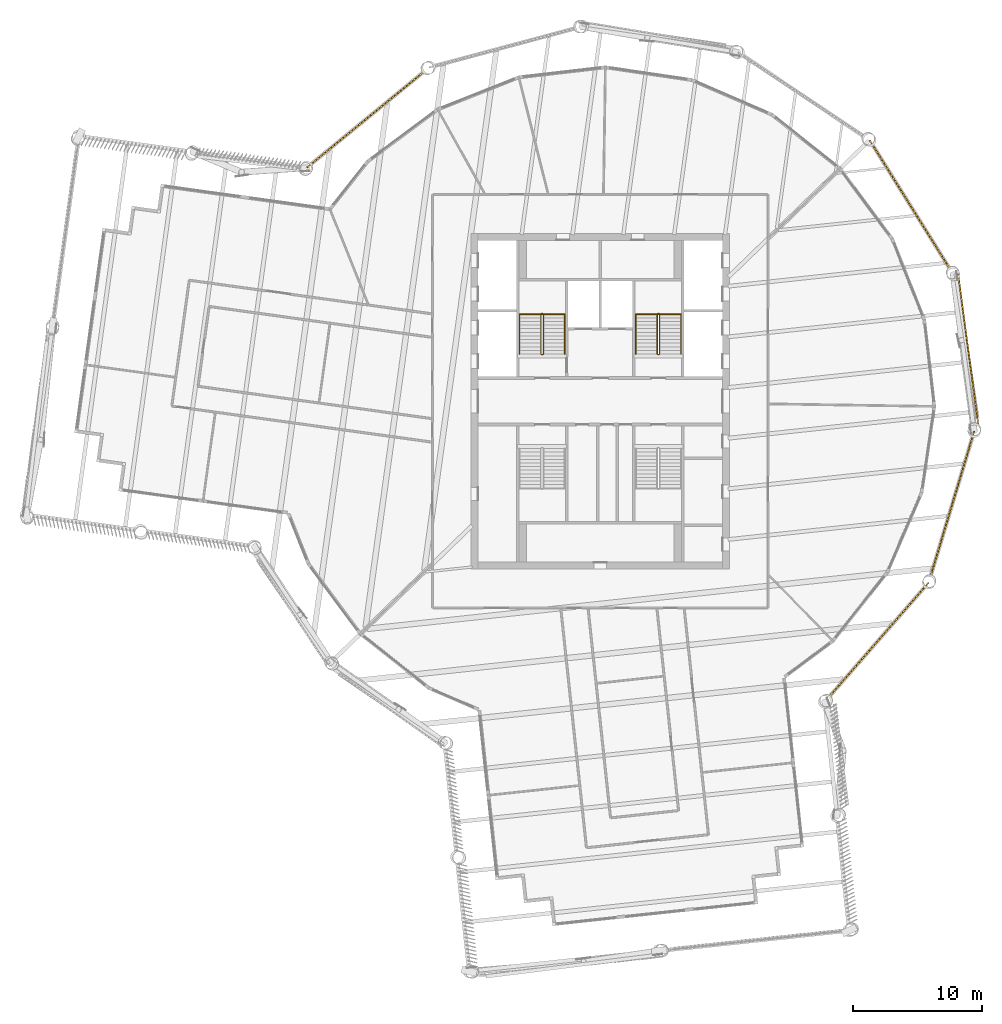
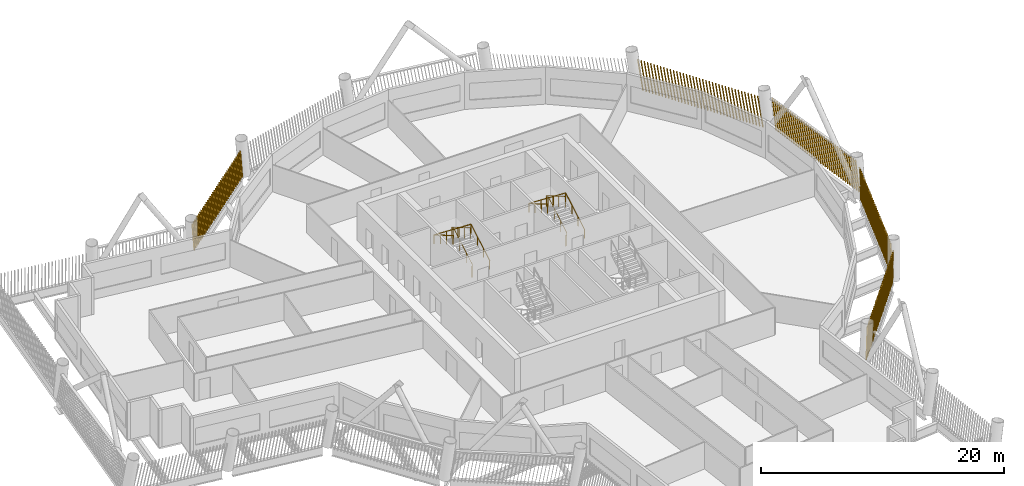
# One storey, part 19 of 21: 5 shading devices, 4 railings.
"""IFC4 building model written with IfcOpenShell, lengths in metres."""

import ifcopenshell
import ifcopenshell.guid

model = None  # the IFC model being written
_history = None  # IfcOwnerHistory: only IFC2X3 demands one
_inside = {}  # id of a spatial element -> (the spatial element, [elements in it])
_under = {}  # id of a project, library or spatial element -> (it, [spatial elements below it])
_declared = {}  # id of a project -> (the project, [libraries it declares])
_typed = {}  # id of a type object -> (the type object, [elements of that type])
_made_of = {}  # id of a material, layer set ... -> (it, [elements and type objects made of it])


def new_model(schema):
    """Start an empty IFC model of exactly this schema.

    Asked for "IFC4X3", IfcOpenShell would pick the latest addendum, in which some entities
    have other attributes; the version numbers below select the first issue.
    IFC2X3 requires an IfcOwnerHistory on every rooted entity: one is made here for all.
    """
    global model, _history
    if schema == "IFC4X3":
        model = ifcopenshell.file(schema_version=(4, 3, 0, 0))
    else:
        model = ifcopenshell.file(schema=schema)
    _inside.clear()
    _under.clear()
    _declared.clear()
    _typed.clear()
    _made_of.clear()
    _history = None
    if model.schema == "IFC2X3":
        org = make("IfcOrganization", Name="unknown")
        user = make(
            "IfcPersonAndOrganization",
            ThePerson=make("IfcPerson", FamilyName="unknown"),
            TheOrganization=org,
        )
        app = make(
            "IfcApplication",
            ApplicationDeveloper=org,
            Version="unknown",
            ApplicationFullName="unknown",
            ApplicationIdentifier="unknown",
        )
        _history = make(
            "IfcOwnerHistory",
            OwningUser=user,
            OwningApplication=app,
            ChangeAction="ADDED",
            CreationDate=0,
        )
    return model


def make(cls, **values):
    """One entity of the class cls with the attributes given. An attribute that is None is left unset."""
    return model.create_entity(
        cls, **{name: value for name, value in values.items() if value is not None}
    )


def rooted(cls, **values):
    """An entity with a GlobalId (a new one), such as an element, a storey or a relation."""
    return make(cls, GlobalId=ifcopenshell.guid.new(), OwnerHistory=_history, **values)


def si_unit(unit_type, name, prefix=None):
    """IfcSIUnit, for example si_unit("LENGTHUNIT", "METRE", prefix="MILLI")."""
    return make("IfcSIUnit", UnitType=unit_type, Prefix=prefix, Name=name)


def assignment(units):
    """IfcUnitAssignment: the units of a project."""
    return None if units is None else make("IfcUnitAssignment", Units=units)


def point(xyz):
    """IfcCartesianPoint."""
    return None if xyz is None else make("IfcCartesianPoint", Coordinates=xyz)


def direction(xyz):
    """IfcDirection."""
    return None if xyz is None else make("IfcDirection", DirectionRatios=xyz)


def frame(location, z_axis=None, x_axis=None):
    """IfcAxis2Placement3D, a coordinate frame: its origin and axes. An axis left out is left unset."""
    return make(
        "IfcAxis2Placement3D",
        Location=point(location),
        Axis=direction(z_axis),
        RefDirection=direction(x_axis),
    )


def frame_2d(location, x_axis=None):
    """IfcAxis2Placement2D, a coordinate frame in the plane: its origin and x axis."""
    return make(
        "IfcAxis2Placement2D", Location=point(location), RefDirection=direction(x_axis)
    )


def origin():
    """The frame at (0, 0, 0) with its axes left unset."""
    return frame((0.0, 0.0, 0.0))


def origin_2d():
    """The frame at (0, 0) in the plane with its x axis left unset."""
    return frame_2d((0.0, 0.0))


def place(relative_to, where):
    """IfcLocalPlacement: puts the frame where relative to a parent placement (None: the world)."""
    return make(
        "IfcLocalPlacement", PlacementRelTo=relative_to, RelativePlacement=where
    )


def context(
    kind, dimensions, precision=None, world=None, true_north=None, identifier=None
):
    """IfcGeometricRepresentationContext, for example the 3D "Model" context."""
    return make(
        "IfcGeometricRepresentationContext",
        ContextIdentifier=identifier,
        ContextType=kind,
        CoordinateSpaceDimension=dimensions,
        Precision=precision,
        WorldCoordinateSystem=world,
        TrueNorth=true_north,
    )


def subcontext(parent, identifier, kind, view, scale=None):
    """IfcGeometricRepresentationSubContext, for example "Body" below "Model"."""
    return make(
        "IfcGeometricRepresentationSubContext",
        ContextIdentifier=identifier,
        ContextType=kind,
        ParentContext=parent,
        TargetScale=scale,
        TargetView=view,
    )


def project(units=None, contexts=None):
    """IfcProject with its units and contexts."""
    return rooted(
        "IfcProject",
        Name="project",
        RepresentationContexts=contexts,
        UnitsInContext=assignment(units),
    )


def spatial(cls, under=None, at=None, **own):
    """A site, building, storey or space (cls), placed at a placement, below another one or the project."""
    s = rooted(cls, ObjectPlacement=at, **own)
    if under is not None:
        _under.setdefault(under.id(), (under, []))[1].append(s)
    return s


def profile(cls, at=None, kind="AREA", **sizes):
    """A parametric profile (cls). Its sizes go by their IFC names, for example OverallWidth=200.0."""
    return make(cls, ProfileType=kind, Position=at, **sizes)


def rectangle(**sizes):
    """IfcRectangleProfileDef."""
    return profile("IfcRectangleProfileDef", **sizes)


def circle(**sizes):
    """IfcCircleProfileDef."""
    return profile("IfcCircleProfileDef", **sizes)


def composite_profile(profiles, kind="AREA"):
    """IfcCompositeProfileDef: several profiles as one."""
    return make("IfcCompositeProfileDef", ProfileType=kind, Profiles=profiles)


def extrude(swept, where, along, depth):
    """IfcExtrudedAreaSolid: the profile swept, set in the frame where, extruded along a direction by depth."""
    return make(
        "IfcExtrudedAreaSolid",
        SweptArea=swept,
        Position=where,
        ExtrudedDirection=direction(along),
        Depth=depth,
    )


def shape(context_of_items, identifier, shape_type, items):
    """IfcShapeRepresentation: the items that make up one representation, for example the "Body"."""
    return make(
        "IfcShapeRepresentation",
        ContextOfItems=context_of_items,
        RepresentationIdentifier=identifier,
        RepresentationType=shape_type,
        Items=items,
    )


def material(Name=None, Category=None):
    """IfcMaterial."""
    return make("IfcMaterial", Name=Name, Category=Category)


def made_of(thing, what):
    """Note that an element or type object is made of a material, layer set ...; save() writes the relation."""
    if what is not None:
        _made_of.setdefault(what.id(), (what, []))[1].append(thing)
    return thing


def type_object(cls, material=None, **own):
    """A type object (cls), such as IfcWallType, which elements share."""
    return made_of(rooted(cls, **own), material)


def element(
    cls,
    number,
    at=None,
    inside=None,
    cuts=None,
    type_object=None,
    material=None,
    context=None,
    identifier="Body",
    shape_type=None,
    held_by="IfcProductDefinitionShape",
    body=None,
    shapes=None,
    **own,
):
    """One element of the class cls, such as IfcWall. Its Tag is "e" and its number.

    at: its placement. inside: the storey or other place that contains it. cuts: it is an
    opening in that element (IfcRelVoidsElement). A single representation is given by context,
    identifier, shape_type and body (its items); several are given by shapes. held_by: the class
    of the entity that holds the representations. save() writes the other relations.
    """
    e = rooted(cls, Tag="e%d" % number, ObjectPlacement=at, **own)
    if body is not None:
        shapes = [shape(context, identifier, shape_type, body)]
    if shapes is not None:
        e.Representation = make(held_by, Representations=shapes)
    if inside is not None:
        _inside.setdefault(inside.id(), (inside, []))[1].append(e)
    if cuts is not None:
        rooted(
            "IfcRelVoidsElement", RelatingBuildingElement=cuts, RelatedOpeningElement=e
        )
    if type_object is not None:
        _typed.setdefault(type_object.id(), (type_object, []))[1].append(e)
    return made_of(e, material)


def aggregate(whole, parts):
    """IfcRelAggregates: a whole, such as a stair, and the parts it consists of."""
    return rooted("IfcRelAggregates", RelatingObject=whole, RelatedObjects=parts)


def save(model, path):
    """Write the relations noted so far, then the file.

    IfcRelAggregates (storeys below a building ...), IfcRelContainedInSpatialStructure (elements
    in a storey), IfcRelDefinesByType, IfcRelAssociatesMaterial and IfcRelDeclares: one each for
    every whole, place, type object, material and project.
    """
    for whole, parts in _under.values():
        aggregate(whole, parts)
    for where, things in _inside.values():
        rooted(
            "IfcRelContainedInSpatialStructure",
            RelatedElements=things,
            RelatingStructure=where,
        )
    for kind, things in _typed.values():
        rooted("IfcRelDefinesByType", RelatedObjects=things, RelatingType=kind)
    for what, things in _made_of.values():
        rooted("IfcRelAssociatesMaterial", RelatedObjects=things, RelatingMaterial=what)
    for by, libraries in _declared.values():
        rooted("IfcRelDeclares", RelatingContext=by, RelatedDefinitions=libraries)
    model.write(path)


model = new_model("IFC4")

# Units and contexts
model_context = context("Model", 3, precision=1e-05, world=origin(), true_north=direction((0.0, 1.0)))
body_context = subcontext(model_context, "Body", "Model", "MODEL_VIEW")
ifc_project = project(units=[si_unit("LENGTHUNIT", "METRE"), si_unit("AREAUNIT", "SQUARE_METRE"), si_unit("VOLUMEUNIT", "CUBIC_METRE"), si_unit("PLANEANGLEUNIT", "RADIAN"), si_unit("MASSUNIT", "GRAM", prefix="KILO")], contexts=[model_context])

# Site, building, storey
site_placement = place(None, origin())
site = spatial("IfcSite", under=ifc_project, at=site_placement, CompositionType="ELEMENT")
building_placement = place(site_placement, origin())
building = spatial("IfcBuilding", under=site, at=building_placement, Name="Tarsis Ring Headquarters", CompositionType="ELEMENT")
storey_placement = place(building_placement, frame((0.0, 0.0, 255.199951171875)))
storey = spatial("IfcBuildingStorey", under=building, at=storey_placement, Name="L59", CompositionType="ELEMENT", Elevation=255.199951171875)

# Railings
ifc_material_1 = material(Name="Steel S355", Category="steel")
railing_type_1 = type_object("IfcRailingType", Name="Core stair guard 1100", PredefinedType="GUARDRAIL", material=ifc_material_1)
railing_1_placement = place(storey_placement, frame((-4.5400390625, 3.610107421875, 0.0)))
element("IfcRailing", 1, at=railing_1_placement, inside=storey, type_object=railing_type_1, Name="L59 ST1 stair guard 1", PredefinedType="GUARDRAIL", context=body_context, shape_type="SweptSolid", body=[
    extrude(circle(Radius=0.02392578125, at=origin_2d()), frame((0.0, 0.0, 1.076171875), z_axis=(1.0, 0.0, 0.0), x_axis=(0.0, 1.0, 0.0)), (0.0, 0.0, 1.0), 0.080078125),
    extrude(circle(Radius=0.02392578125, at=origin_2d()), frame((0.080078125, 0.0, 1.076171875), z_axis=(0.282336740067, 0.280959487676, 0.917250092119), x_axis=(-0.705375805398, 0.708833529934, 0.0)), (0.0, 0.0, 1.0), 0.17724609375),
    extrude(circle(Radius=0.02392578125, at=origin_2d()), frame((0.130126953125, 0.0498046875, 1.23876953125), z_axis=(0.0, 0.864920483161, 0.501908913857), x_axis=(-1.0, 0.0, 0.0)), (0.0, 0.0, 1.0), 3.56103515625),
    extrude(circle(Radius=0.02392578125, at=origin_2d()), frame((0.130126953125, 3.1298828125, 3.02587890625), z_axis=(-0.707106781187, 0.707106781187, 0.0), x_axis=(-0.707106781187, -0.707106781187, 0.0)), (0.0, 0.0, 1.0), 0.07080078125),
    extrude(circle(Radius=0.02392578125, at=origin_2d()), frame((0.080078125, 3.179931640625, 3.02587890625), z_axis=(-1.0, 0.0, 0.0), x_axis=(0.0, -1.0, 0.0)), (0.0, 0.0, 1.0), 0.080078125),
    extrude(circle(Radius=0.02392578125, at=origin_2d()), frame((0.0, 3.179931640625, 3.02587890625), z_axis=(-0.282227285176, -0.282227285176, 0.916894497205), x_axis=(0.707106781187, -0.707106781187, 0.0)), (0.0, 0.0, 1.0), 0.17724609375),
    extrude(circle(Radius=0.02392578125, at=origin_2d()), frame((-0.050048828125, 3.1298828125, 3.1884765625), z_axis=(0.0, -0.864890721111, 0.501960198159), x_axis=(1.0, 0.0, 0.0)), (0.0, 0.0, 1.0), 3.561279296875),
    extrude(circle(Radius=0.02099609375, at=origin_2d()), origin(), (0.0, 0.0, 1.0), 1.052001953125),
    extrude(circle(Radius=0.02099609375, at=origin_2d()), frame((0.080078125, 0.0, 0.0)), (0.0, 0.0, 1.0), 1.052001953125),
    extrude(circle(Radius=0.02099609375, at=origin_2d()), frame((0.130126953125, 0.0498046875, 0.16259765625)), (0.0, 0.0, 1.0), 1.052001953125),
    extrude(circle(Radius=0.02099609375, at=origin_2d()), frame((0.130126953125, 1.076416015625, 0.75830078125)), (0.0, 0.0, 1.0), 1.052001953125),
    extrude(circle(Radius=0.02099609375, at=origin_2d()), frame((0.130126953125, 2.103271484375, 1.354248046875)), (0.0, 0.0, 1.0), 1.052001953125),
    extrude(circle(Radius=0.02099609375, at=origin_2d()), frame((0.130126953125, 3.1298828125, 1.949951171875)), (0.0, 0.0, 1.0), 1.052001953125),
    extrude(circle(Radius=0.02099609375, at=origin_2d()), frame((0.080078125, 3.179931640625, 1.949951171875)), (0.0, 0.0, 1.0), 1.052001953125),
    extrude(circle(Radius=0.02099609375, at=origin_2d()), frame((0.0, 3.179931640625, 1.949951171875)), (0.0, 0.0, 1.0), 1.052001953125),
    extrude(circle(Radius=0.02099609375, at=origin_2d()), frame((-0.050048828125, 3.1298828125, 2.112548828125)), (0.0, 0.0, 1.0), 1.052001953125),
    extrude(circle(Radius=0.02099609375, at=origin_2d()), frame((-0.050048828125, 2.103271484375, 2.70849609375)), (0.0, 0.0, 1.0), 1.052001953125),
    extrude(circle(Radius=0.02099609375, at=origin_2d()), frame((-0.050048828125, 1.076416015625, 3.30419921875)), (0.0, 0.0, 1.0), 1.052001953125),
    extrude(circle(Radius=0.02099609375, at=origin_2d()), frame((-0.050048828125, 0.0498046875, 3.900146484375)), (0.0, 0.0, 1.0), 1.052001953125),
])
railing_2_placement = place(storey_placement, frame((4.4599609375, 3.610107421875, 0.0)))
element("IfcRailing", 2, at=railing_2_placement, inside=storey, type_object=railing_type_1, Name="L59 ST2 stair guard 1", PredefinedType="GUARDRAIL", context=body_context, shape_type="SweptSolid", body=[
    extrude(circle(Radius=0.02392578125, at=origin_2d()), frame((0.0, 0.0, 1.076171875), z_axis=(1.0, 0.0, 0.0), x_axis=(0.0, 1.0, 0.0)), (0.0, 0.0, 1.0), 0.080078125),
    extrude(circle(Radius=0.02392578125, at=origin_2d()), frame((0.080078125, 0.0, 1.076171875), z_axis=(0.282336740067, 0.280959487676, 0.917250092119), x_axis=(-0.705375805398, 0.708833529934, 0.0)), (0.0, 0.0, 1.0), 0.17724609375),
    extrude(circle(Radius=0.02392578125, at=origin_2d()), frame((0.130126953125, 0.0498046875, 1.23876953125), z_axis=(0.0, 0.864920483161, 0.501908913857), x_axis=(-1.0, 0.0, 0.0)), (0.0, 0.0, 1.0), 3.56103515625),
    extrude(circle(Radius=0.02392578125, at=origin_2d()), frame((0.130126953125, 3.1298828125, 3.02587890625), z_axis=(-0.707106781187, 0.707106781187, 0.0), x_axis=(-0.707106781187, -0.707106781187, 0.0)), (0.0, 0.0, 1.0), 0.07080078125),
    extrude(circle(Radius=0.02392578125, at=origin_2d()), frame((0.080078125, 3.179931640625, 3.02587890625), z_axis=(-1.0, 0.0, 0.0), x_axis=(0.0, -1.0, 0.0)), (0.0, 0.0, 1.0), 0.080078125),
    extrude(circle(Radius=0.02392578125, at=origin_2d()), frame((0.0, 3.179931640625, 3.02587890625), z_axis=(-0.282227285176, -0.282227285176, 0.916894497205), x_axis=(0.707106781187, -0.707106781187, 0.0)), (0.0, 0.0, 1.0), 0.17724609375),
    extrude(circle(Radius=0.02392578125, at=origin_2d()), frame((-0.050048828125, 3.1298828125, 3.1884765625), z_axis=(0.0, -0.864890721111, 0.501960198159), x_axis=(1.0, 0.0, 0.0)), (0.0, 0.0, 1.0), 3.561279296875),
    extrude(circle(Radius=0.02099609375, at=origin_2d()), origin(), (0.0, 0.0, 1.0), 1.052001953125),
    extrude(circle(Radius=0.02099609375, at=origin_2d()), frame((0.080078125, 0.0, 0.0)), (0.0, 0.0, 1.0), 1.052001953125),
    extrude(circle(Radius=0.02099609375, at=origin_2d()), frame((0.130126953125, 0.0498046875, 0.16259765625)), (0.0, 0.0, 1.0), 1.052001953125),
    extrude(circle(Radius=0.02099609375, at=origin_2d()), frame((0.130126953125, 1.076416015625, 0.75830078125)), (0.0, 0.0, 1.0), 1.052001953125),
    extrude(circle(Radius=0.02099609375, at=origin_2d()), frame((0.130126953125, 2.103271484375, 1.354248046875)), (0.0, 0.0, 1.0), 1.052001953125),
    extrude(circle(Radius=0.02099609375, at=origin_2d()), frame((0.130126953125, 3.1298828125, 1.949951171875)), (0.0, 0.0, 1.0), 1.052001953125),
    extrude(circle(Radius=0.02099609375, at=origin_2d()), frame((0.080078125, 3.179931640625, 1.949951171875)), (0.0, 0.0, 1.0), 1.052001953125),
    extrude(circle(Radius=0.02099609375, at=origin_2d()), frame((0.0, 3.179931640625, 1.949951171875)), (0.0, 0.0, 1.0), 1.052001953125),
    extrude(circle(Radius=0.02099609375, at=origin_2d()), frame((-0.050048828125, 3.1298828125, 2.112548828125)), (0.0, 0.0, 1.0), 1.052001953125),
    extrude(circle(Radius=0.02099609375, at=origin_2d()), frame((-0.050048828125, 2.103271484375, 2.70849609375)), (0.0, 0.0, 1.0), 1.052001953125),
    extrude(circle(Radius=0.02099609375, at=origin_2d()), frame((-0.050048828125, 1.076416015625, 3.30419921875)), (0.0, 0.0, 1.0), 1.052001953125),
    extrude(circle(Radius=0.02099609375, at=origin_2d()), frame((-0.050048828125, 0.0498046875, 3.900146484375)), (0.0, 0.0, 1.0), 1.052001953125),
])
railing_type_2 = type_object("IfcRailingType", Name="Core stair handrail 900", PredefinedType="HANDRAIL", material=ifc_material_1)
railing_3_placement = place(storey_placement, frame((-2.75, 3.659912109375, 0.16259765625)))
element("IfcRailing", 3, at=railing_3_placement, inside=storey, type_object=railing_type_2, Name="L59 ST1 stair handrail 1", PredefinedType="HANDRAIL", context=body_context, shape_type="SweptSolid", body=[
    extrude(circle(Radius=0.02392578125, at=origin_2d()), frame((0.0, 0.0, 0.8759765625), z_axis=(0.0, 0.864920483161, 0.501908913857), x_axis=(-1.0, 0.0, 0.0)), (0.0, 0.0, 1.0), 3.56103515625),
    extrude(circle(Radius=0.02392578125, at=origin_2d()), frame((0.0, 3.080078125, 2.6630859375), z_axis=(-0.998922641604, 0.0, 0.046406422943), x_axis=(0.0, -1.0, 0.0)), (0.0, 0.0, 1.0), 3.503662109375),
    extrude(circle(Radius=0.02392578125, at=origin_2d()), frame((-3.5, 3.080078125, 2.82568359375), z_axis=(0.0, -0.864890721111, 0.501960198159), x_axis=(1.0, 0.0, 0.0)), (0.0, 0.0, 1.0), 3.561279296875),
    extrude(circle(Radius=0.02099609375, at=origin_2d()), origin(), (0.0, 0.0, 1.0), 0.851806640625),
    extrude(circle(Radius=0.02099609375, at=origin_2d()), frame((0.0, 1.026611328125, 0.595703125)), (0.0, 0.0, 1.0), 0.851806640625),
    extrude(circle(Radius=0.02099609375, at=origin_2d()), frame((0.0, 2.053466796875, 1.191650390625)), (0.0, 0.0, 1.0), 0.851806640625),
    extrude(circle(Radius=0.02099609375, at=origin_2d()), frame((0.0, 3.080078125, 1.787353515625)), (0.0, 0.0, 1.0), 0.851806640625),
    extrude(circle(Radius=0.02099609375, at=origin_2d()), frame((-1.166748046875, 3.080078125, 1.841552734375)), (0.0, 0.0, 1.0), 0.851806640625),
    extrude(circle(Radius=0.02099609375, at=origin_2d()), frame((-2.333251953125, 3.080078125, 1.895751953125)), (0.0, 0.0, 1.0), 0.851806640625),
    extrude(circle(Radius=0.02099609375, at=origin_2d()), frame((-3.5, 3.080078125, 1.949951171875)), (0.0, 0.0, 1.0), 0.851806640625),
    extrude(circle(Radius=0.02099609375, at=origin_2d()), frame((-3.5, 2.053466796875, 2.5458984375)), (0.0, 0.0, 1.0), 0.851806640625),
    extrude(circle(Radius=0.02099609375, at=origin_2d()), frame((-3.5, 1.026611328125, 3.1416015625)), (0.0, 0.0, 1.0), 0.851806640625),
    extrude(circle(Radius=0.02099609375, at=origin_2d()), frame((-3.5, 0.0, 3.737548828125)), (0.0, 0.0, 1.0), 0.851806640625),
])
railing_4_placement = place(storey_placement, frame((6.25, 3.659912109375, 0.16259765625)))
element("IfcRailing", 4, at=railing_4_placement, inside=storey, type_object=railing_type_2, Name="L59 ST2 stair handrail 1", PredefinedType="HANDRAIL", context=body_context, shape_type="SweptSolid", body=[
    extrude(circle(Radius=0.02392578125, at=origin_2d()), frame((0.0, 0.0, 0.8759765625), z_axis=(0.0, 0.864920483161, 0.501908913857), x_axis=(-1.0, 0.0, 0.0)), (0.0, 0.0, 1.0), 3.56103515625),
    extrude(circle(Radius=0.02392578125, at=origin_2d()), frame((0.0, 3.080078125, 2.6630859375), z_axis=(-0.998922641604, 0.0, 0.046406422943), x_axis=(0.0, -1.0, 0.0)), (0.0, 0.0, 1.0), 3.503662109375),
    extrude(circle(Radius=0.02392578125, at=origin_2d()), frame((-3.5, 3.080078125, 2.82568359375), z_axis=(0.0, -0.864890721111, 0.501960198159), x_axis=(1.0, 0.0, 0.0)), (0.0, 0.0, 1.0), 3.561279296875),
    extrude(circle(Radius=0.02099609375, at=origin_2d()), origin(), (0.0, 0.0, 1.0), 0.851806640625),
    extrude(circle(Radius=0.02099609375, at=origin_2d()), frame((0.0, 1.026611328125, 0.595703125)), (0.0, 0.0, 1.0), 0.851806640625),
    extrude(circle(Radius=0.02099609375, at=origin_2d()), frame((0.0, 2.053466796875, 1.191650390625)), (0.0, 0.0, 1.0), 0.851806640625),
    extrude(circle(Radius=0.02099609375, at=origin_2d()), frame((0.0, 3.080078125, 1.787353515625)), (0.0, 0.0, 1.0), 0.851806640625),
    extrude(circle(Radius=0.02099609375, at=origin_2d()), frame((-1.166748046875, 3.080078125, 1.841552734375)), (0.0, 0.0, 1.0), 0.851806640625),
    extrude(circle(Radius=0.02099609375, at=origin_2d()), frame((-2.333251953125, 3.080078125, 1.895751953125)), (0.0, 0.0, 1.0), 0.851806640625),
    extrude(circle(Radius=0.02099609375, at=origin_2d()), frame((-3.5, 3.080078125, 1.949951171875)), (0.0, 0.0, 1.0), 0.851806640625),
    extrude(circle(Radius=0.02099609375, at=origin_2d()), frame((-3.5, 2.053466796875, 2.5458984375)), (0.0, 0.0, 1.0), 0.851806640625),
    extrude(circle(Radius=0.02099609375, at=origin_2d()), frame((-3.5, 1.026611328125, 3.1416015625)), (0.0, 0.0, 1.0), 0.851806640625),
    extrude(circle(Radius=0.02099609375, at=origin_2d()), frame((-3.5, 0.0, 3.737548828125)), (0.0, 0.0, 1.0), 0.851806640625),
])

# Shading devices
ifc_material_2 = material(Name="Terracotta baguette", Category="masonry")
shading_device_type = type_object("IfcShadingDeviceType", Name="Terracotta baguette screen", PredefinedType="USERDEFINED", material=ifc_material_2)
shading_device_1_placement = place(storey_placement, frame((17.708984375, -22.8984375, 0.0), z_axis=(0.0, 0.0, 1.0), x_axis=(0.65710255019, 0.75381443299, 0.0)))
element("IfcShadingDevice", 5, at=shading_device_1_placement, inside=storey, type_object=shading_device_type, Name="Baguette screen L59-07", ObjectType="Terracotta baguette screen", PredefinedType="USERDEFINED", context=body_context, shape_type="SweptSolid", body=[
    extrude(composite_profile([rectangle(XDim=0.06005859375, YDim=0.1201171875, at=frame_2d((0.030029296875, 0.0))), rectangle(XDim=0.06005859375, YDim=0.1201171875, at=frame_2d((0.33251953125, 0.0))), rectangle(XDim=0.06005859375, YDim=0.1201171875, at=frame_2d((0.634765625, 0.0))), rectangle(XDim=0.06005859375, YDim=0.1201171875, at=frame_2d((0.937255859375, 0.0))), rectangle(XDim=0.06005859375, YDim=0.1201171875, at=frame_2d((1.239501953125, 0.0))), rectangle(XDim=0.06005859375, YDim=0.1201171875, at=frame_2d((1.5419921875, 0.0))), rectangle(XDim=0.06005859375, YDim=0.1201171875, at=frame_2d((1.844482421875, 0.0))), rectangle(XDim=0.06005859375, YDim=0.1201171875, at=frame_2d((2.146728515625, 0.0))), rectangle(XDim=0.06005859375, YDim=0.1201171875, at=frame_2d((2.44921875, 0.0))), rectangle(XDim=0.06005859375, YDim=0.1201171875, at=frame_2d((2.751708984375, 0.0))), rectangle(XDim=0.06005859375, YDim=0.1201171875, at=frame_2d((3.053955078125, 0.0))), rectangle(XDim=0.06005859375, YDim=0.1201171875, at=frame_2d((3.3564453125, 0.0))), rectangle(XDim=0.06005859375, YDim=0.1201171875, at=frame_2d((3.65869140625, 0.0))), rectangle(XDim=0.06005859375, YDim=0.1201171875, at=frame_2d((3.961181640625, 0.0))), rectangle(XDim=0.06005859375, YDim=0.1201171875, at=frame_2d((4.263671875, 0.0))), rectangle(XDim=0.06005859375, YDim=0.1201171875, at=frame_2d((4.56591796875, 0.0))), rectangle(XDim=0.06005859375, YDim=0.1201171875, at=frame_2d((4.868408203125, 0.0))), rectangle(XDim=0.06005859375, YDim=0.1201171875, at=frame_2d((5.1708984375, 0.0))), rectangle(XDim=0.06005859375, YDim=0.1201171875, at=frame_2d((5.47314453125, 0.0))), rectangle(XDim=0.06005859375, YDim=0.1201171875, at=frame_2d((5.775634765625, 0.0))), rectangle(XDim=0.06005859375, YDim=0.1201171875, at=frame_2d((6.077880859375, 0.0))), rectangle(XDim=0.06005859375, YDim=0.1201171875, at=frame_2d((6.38037109375, 0.0))), rectangle(XDim=0.06005859375, YDim=0.1201171875, at=frame_2d((6.682861328125, 0.0))), rectangle(XDim=0.06005859375, YDim=0.1201171875, at=frame_2d((6.985107421875, 0.0))), rectangle(XDim=0.06005859375, YDim=0.1201171875, at=frame_2d((7.28759765625, 0.0))), rectangle(XDim=0.06005859375, YDim=0.1201171875, at=frame_2d((7.590087890625, 0.0))), rectangle(XDim=0.06005859375, YDim=0.1201171875, at=frame_2d((7.892333984375, 0.0))), rectangle(XDim=0.06005859375, YDim=0.1201171875, at=frame_2d((8.19482421875, 0.0))), rectangle(XDim=0.06005859375, YDim=0.1201171875, at=frame_2d((8.4970703125, 0.0))), rectangle(XDim=0.06005859375, YDim=0.1201171875, at=frame_2d((8.799560546875, 0.0))), rectangle(XDim=0.06005859375, YDim=0.1201171875, at=frame_2d((9.10205078125, 0.0))), rectangle(XDim=0.06005859375, YDim=0.1201171875, at=frame_2d((9.404296875, 0.0))), rectangle(XDim=0.06005859375, YDim=0.1201171875, at=frame_2d((9.706787109375, 0.0))), rectangle(XDim=0.06005859375, YDim=0.1201171875, at=frame_2d((10.00927734375, 0.0))), rectangle(XDim=0.06005859375, YDim=0.1201171875, at=frame_2d((10.3115234375, 0.0))), rectangle(XDim=0.06005859375, YDim=0.1201171875, at=frame_2d((10.614013671875, 0.0))), rectangle(XDim=0.06005859375, YDim=0.1201171875, at=frame_2d((10.916259765625, 0.0))), rectangle(XDim=0.06005859375, YDim=0.1201171875, at=frame_2d((11.21875, 0.0)))]), origin(), (0.164704997871, 0.001437604631, 0.986341825621), 3.0087890625),
])
shading_device_2_placement = place(storey_placement, frame((25.572998046875, -13.563232421875, 0.0), z_axis=(0.0, 0.0, 1.0), x_axis=(0.287980727494, 0.95763521139, 0.0)))
element("IfcShadingDevice", 6, at=shading_device_2_placement, inside=storey, type_object=shading_device_type, Name="Baguette screen L59-08", ObjectType="Terracotta baguette screen", PredefinedType="USERDEFINED", context=body_context, shape_type="SweptSolid", body=[
    extrude(composite_profile([rectangle(XDim=0.06005859375, YDim=0.1201171875, at=frame_2d((0.030029296875, 0.0))), rectangle(XDim=0.06005859375, YDim=0.1201171875, at=frame_2d((0.33251953125, 0.0))), rectangle(XDim=0.06005859375, YDim=0.1201171875, at=frame_2d((0.634765625, 0.0))), rectangle(XDim=0.06005859375, YDim=0.1201171875, at=frame_2d((0.937255859375, 0.0))), rectangle(XDim=0.06005859375, YDim=0.1201171875, at=frame_2d((1.239501953125, 0.0))), rectangle(XDim=0.06005859375, YDim=0.1201171875, at=frame_2d((1.5419921875, 0.0))), rectangle(XDim=0.06005859375, YDim=0.1201171875, at=frame_2d((1.844482421875, 0.0))), rectangle(XDim=0.06005859375, YDim=0.1201171875, at=frame_2d((2.146728515625, 0.0))), rectangle(XDim=0.06005859375, YDim=0.1201171875, at=frame_2d((2.44921875, 0.0))), rectangle(XDim=0.06005859375, YDim=0.1201171875, at=frame_2d((2.751708984375, 0.0))), rectangle(XDim=0.06005859375, YDim=0.1201171875, at=frame_2d((3.053955078125, 0.0))), rectangle(XDim=0.06005859375, YDim=0.1201171875, at=frame_2d((3.3564453125, 0.0))), rectangle(XDim=0.06005859375, YDim=0.1201171875, at=frame_2d((3.65869140625, 0.0))), rectangle(XDim=0.06005859375, YDim=0.1201171875, at=frame_2d((3.961181640625, 0.0))), rectangle(XDim=0.06005859375, YDim=0.1201171875, at=frame_2d((4.263671875, 0.0))), rectangle(XDim=0.06005859375, YDim=0.1201171875, at=frame_2d((4.56591796875, 0.0))), rectangle(XDim=0.06005859375, YDim=0.1201171875, at=frame_2d((4.868408203125, 0.0))), rectangle(XDim=0.06005859375, YDim=0.1201171875, at=frame_2d((5.1708984375, 0.0))), rectangle(XDim=0.06005859375, YDim=0.1201171875, at=frame_2d((5.47314453125, 0.0))), rectangle(XDim=0.06005859375, YDim=0.1201171875, at=frame_2d((5.775634765625, 0.0))), rectangle(XDim=0.06005859375, YDim=0.1201171875, at=frame_2d((6.077880859375, 0.0))), rectangle(XDim=0.06005859375, YDim=0.1201171875, at=frame_2d((6.38037109375, 0.0))), rectangle(XDim=0.06005859375, YDim=0.1201171875, at=frame_2d((6.682861328125, 0.0))), rectangle(XDim=0.06005859375, YDim=0.1201171875, at=frame_2d((6.985107421875, 0.0))), rectangle(XDim=0.06005859375, YDim=0.1201171875, at=frame_2d((7.28759765625, 0.0))), rectangle(XDim=0.06005859375, YDim=0.1201171875, at=frame_2d((7.590087890625, 0.0))), rectangle(XDim=0.06005859375, YDim=0.1201171875, at=frame_2d((7.892333984375, 0.0))), rectangle(XDim=0.06005859375, YDim=0.1201171875, at=frame_2d((8.19482421875, 0.0))), rectangle(XDim=0.06005859375, YDim=0.1201171875, at=frame_2d((8.4970703125, 0.0))), rectangle(XDim=0.06005859375, YDim=0.1201171875, at=frame_2d((8.799560546875, 0.0))), rectangle(XDim=0.06005859375, YDim=0.1201171875, at=frame_2d((9.10205078125, 0.0))), rectangle(XDim=0.06005859375, YDim=0.1201171875, at=frame_2d((9.404296875, 0.0))), rectangle(XDim=0.06005859375, YDim=0.1201171875, at=frame_2d((9.706787109375, 0.0))), rectangle(XDim=0.06005859375, YDim=0.1201171875, at=frame_2d((10.00927734375, 0.0))), rectangle(XDim=0.06005859375, YDim=0.1201171875, at=frame_2d((10.3115234375, 0.0))), rectangle(XDim=0.06005859375, YDim=0.1201171875, at=frame_2d((10.614013671875, 0.0))), rectangle(XDim=0.06005859375, YDim=0.1201171875, at=frame_2d((10.916259765625, 0.0))), rectangle(XDim=0.06005859375, YDim=0.1201171875, at=frame_2d((11.21875, 0.0)))]), origin(), (0.16470317896, 0.001439897237, 0.986342126007), 3.0087890625),
])
shading_device_3_placement = place(storey_placement, frame((29.261962890625, -1.766845703125, 0.0), z_axis=(0.0, 0.0, 1.0), x_axis=(-0.132371134021, 0.991209983722, 0.0)))
element("IfcShadingDevice", 7, at=shading_device_3_placement, inside=storey, type_object=shading_device_type, Name="Baguette screen L59-09", ObjectType="Terracotta baguette screen", PredefinedType="USERDEFINED", context=body_context, shape_type="SweptSolid", body=[
    extrude(composite_profile([rectangle(XDim=0.06005859375, YDim=0.1201171875, at=frame_2d((0.030029296875, 0.0))), rectangle(XDim=0.06005859375, YDim=0.1201171875, at=frame_2d((0.33251953125, 0.0))), rectangle(XDim=0.06005859375, YDim=0.1201171875, at=frame_2d((0.634765625, 0.0))), rectangle(XDim=0.06005859375, YDim=0.1201171875, at=frame_2d((0.937255859375, 0.0))), rectangle(XDim=0.06005859375, YDim=0.1201171875, at=frame_2d((1.239501953125, 0.0))), rectangle(XDim=0.06005859375, YDim=0.1201171875, at=frame_2d((1.5419921875, 0.0))), rectangle(XDim=0.06005859375, YDim=0.1201171875, at=frame_2d((1.844482421875, 0.0))), rectangle(XDim=0.06005859375, YDim=0.1201171875, at=frame_2d((2.146728515625, 0.0))), rectangle(XDim=0.06005859375, YDim=0.1201171875, at=frame_2d((2.44921875, 0.0))), rectangle(XDim=0.06005859375, YDim=0.1201171875, at=frame_2d((2.751708984375, 0.0))), rectangle(XDim=0.06005859375, YDim=0.1201171875, at=frame_2d((3.053955078125, 0.0))), rectangle(XDim=0.06005859375, YDim=0.1201171875, at=frame_2d((3.3564453125, 0.0))), rectangle(XDim=0.06005859375, YDim=0.1201171875, at=frame_2d((3.65869140625, 0.0))), rectangle(XDim=0.06005859375, YDim=0.1201171875, at=frame_2d((3.961181640625, 0.0))), rectangle(XDim=0.06005859375, YDim=0.1201171875, at=frame_2d((4.263671875, 0.0))), rectangle(XDim=0.06005859375, YDim=0.1201171875, at=frame_2d((4.56591796875, 0.0))), rectangle(XDim=0.06005859375, YDim=0.1201171875, at=frame_2d((4.868408203125, 0.0))), rectangle(XDim=0.06005859375, YDim=0.1201171875, at=frame_2d((5.1708984375, 0.0))), rectangle(XDim=0.06005859375, YDim=0.1201171875, at=frame_2d((5.47314453125, 0.0))), rectangle(XDim=0.06005859375, YDim=0.1201171875, at=frame_2d((5.775634765625, 0.0))), rectangle(XDim=0.06005859375, YDim=0.1201171875, at=frame_2d((6.077880859375, 0.0))), rectangle(XDim=0.06005859375, YDim=0.1201171875, at=frame_2d((6.38037109375, 0.0))), rectangle(XDim=0.06005859375, YDim=0.1201171875, at=frame_2d((6.682861328125, 0.0))), rectangle(XDim=0.06005859375, YDim=0.1201171875, at=frame_2d((6.985107421875, 0.0))), rectangle(XDim=0.06005859375, YDim=0.1201171875, at=frame_2d((7.28759765625, 0.0))), rectangle(XDim=0.06005859375, YDim=0.1201171875, at=frame_2d((7.590087890625, 0.0))), rectangle(XDim=0.06005859375, YDim=0.1201171875, at=frame_2d((7.892333984375, 0.0))), rectangle(XDim=0.06005859375, YDim=0.1201171875, at=frame_2d((8.19482421875, 0.0))), rectangle(XDim=0.06005859375, YDim=0.1201171875, at=frame_2d((8.4970703125, 0.0))), rectangle(XDim=0.06005859375, YDim=0.1201171875, at=frame_2d((8.799560546875, 0.0))), rectangle(XDim=0.06005859375, YDim=0.1201171875, at=frame_2d((9.10205078125, 0.0))), rectangle(XDim=0.06005859375, YDim=0.1201171875, at=frame_2d((9.404296875, 0.0))), rectangle(XDim=0.06005859375, YDim=0.1201171875, at=frame_2d((9.706787109375, 0.0))), rectangle(XDim=0.06005859375, YDim=0.1201171875, at=frame_2d((10.00927734375, 0.0))), rectangle(XDim=0.06005859375, YDim=0.1201171875, at=frame_2d((10.3115234375, 0.0))), rectangle(XDim=0.06005859375, YDim=0.1201171875, at=frame_2d((10.614013671875, 0.0))), rectangle(XDim=0.06005859375, YDim=0.1201171875, at=frame_2d((10.916259765625, 0.0))), rectangle(XDim=0.06005859375, YDim=0.1201171875, at=frame_2d((11.21875, 0.0)))]), origin(), (0.166820148716, 0.001455019087, 0.98598626811), 3.010009765625),
])
shading_device_4_placement = place(storey_placement, frame((27.070556640625, 10.25341796875, 0.0), z_axis=(0.0, 0.0, 1.0), x_axis=(-0.529169198715, 0.848511155482, 0.0)))
element("IfcShadingDevice", 8, at=shading_device_4_placement, inside=storey, type_object=shading_device_type, Name="Baguette screen L59-10", ObjectType="Terracotta baguette screen", PredefinedType="USERDEFINED", context=body_context, shape_type="SweptSolid", body=[
    extrude(composite_profile([rectangle(XDim=0.06005859375, YDim=0.1201171875, at=frame_2d((0.030029296875, 0.0))), rectangle(XDim=0.06005859375, YDim=0.1201171875, at=frame_2d((0.33251953125, 0.0))), rectangle(XDim=0.06005859375, YDim=0.1201171875, at=frame_2d((0.634765625, 0.0))), rectangle(XDim=0.06005859375, YDim=0.1201171875, at=frame_2d((0.937255859375, 0.0))), rectangle(XDim=0.06005859375, YDim=0.1201171875, at=frame_2d((1.239501953125, 0.0))), rectangle(XDim=0.06005859375, YDim=0.1201171875, at=frame_2d((1.5419921875, 0.0))), rectangle(XDim=0.06005859375, YDim=0.1201171875, at=frame_2d((1.844482421875, 0.0))), rectangle(XDim=0.06005859375, YDim=0.1201171875, at=frame_2d((2.146728515625, 0.0))), rectangle(XDim=0.06005859375, YDim=0.1201171875, at=frame_2d((2.44921875, 0.0))), rectangle(XDim=0.06005859375, YDim=0.1201171875, at=frame_2d((2.751708984375, 0.0))), rectangle(XDim=0.06005859375, YDim=0.1201171875, at=frame_2d((3.053955078125, 0.0))), rectangle(XDim=0.06005859375, YDim=0.1201171875, at=frame_2d((3.3564453125, 0.0))), rectangle(XDim=0.06005859375, YDim=0.1201171875, at=frame_2d((3.65869140625, 0.0))), rectangle(XDim=0.06005859375, YDim=0.1201171875, at=frame_2d((3.961181640625, 0.0))), rectangle(XDim=0.06005859375, YDim=0.1201171875, at=frame_2d((4.263671875, 0.0))), rectangle(XDim=0.06005859375, YDim=0.1201171875, at=frame_2d((4.56591796875, 0.0))), rectangle(XDim=0.06005859375, YDim=0.1201171875, at=frame_2d((4.868408203125, 0.0))), rectangle(XDim=0.06005859375, YDim=0.1201171875, at=frame_2d((5.1708984375, 0.0))), rectangle(XDim=0.06005859375, YDim=0.1201171875, at=frame_2d((5.47314453125, 0.0))), rectangle(XDim=0.06005859375, YDim=0.1201171875, at=frame_2d((5.775634765625, 0.0))), rectangle(XDim=0.06005859375, YDim=0.1201171875, at=frame_2d((6.077880859375, 0.0))), rectangle(XDim=0.06005859375, YDim=0.1201171875, at=frame_2d((6.38037109375, 0.0))), rectangle(XDim=0.06005859375, YDim=0.1201171875, at=frame_2d((6.682861328125, 0.0))), rectangle(XDim=0.06005859375, YDim=0.1201171875, at=frame_2d((6.985107421875, 0.0))), rectangle(XDim=0.06005859375, YDim=0.1201171875, at=frame_2d((7.28759765625, 0.0))), rectangle(XDim=0.06005859375, YDim=0.1201171875, at=frame_2d((7.590087890625, 0.0))), rectangle(XDim=0.06005859375, YDim=0.1201171875, at=frame_2d((7.892333984375, 0.0))), rectangle(XDim=0.06005859375, YDim=0.1201171875, at=frame_2d((8.19482421875, 0.0))), rectangle(XDim=0.06005859375, YDim=0.1201171875, at=frame_2d((8.4970703125, 0.0))), rectangle(XDim=0.06005859375, YDim=0.1201171875, at=frame_2d((8.799560546875, 0.0))), rectangle(XDim=0.06005859375, YDim=0.1201171875, at=frame_2d((9.10205078125, 0.0))), rectangle(XDim=0.06005859375, YDim=0.1201171875, at=frame_2d((9.404296875, 0.0))), rectangle(XDim=0.06005859375, YDim=0.1201171875, at=frame_2d((9.706787109375, 0.0))), rectangle(XDim=0.06005859375, YDim=0.1201171875, at=frame_2d((10.00927734375, 0.0))), rectangle(XDim=0.06005859375, YDim=0.1201171875, at=frame_2d((10.3115234375, 0.0))), rectangle(XDim=0.06005859375, YDim=0.1201171875, at=frame_2d((10.614013671875, 0.0))), rectangle(XDim=0.06005859375, YDim=0.1201171875, at=frame_2d((10.916259765625, 0.0))), rectangle(XDim=0.06005859375, YDim=0.1201171875, at=frame_2d((11.21875, 0.0)))]), origin(), (0.164702648199, 0.001435171034, 0.986342221524), 3.0087890625),
])
shading_device_5_placement = place(storey_placement, frame((-13.64111328125, 25.531494140625, 0.0), z_axis=(0.0, 0.0, 1.0), x_axis=(-0.773629951167, -0.633640803039, 0.0)))
element("IfcShadingDevice", 9, at=shading_device_5_placement, inside=storey, type_object=shading_device_type, Name="Baguette screen L59-14", ObjectType="Terracotta baguette screen", PredefinedType="USERDEFINED", context=body_context, shape_type="SweptSolid", body=[
    extrude(composite_profile([rectangle(XDim=0.06005859375, YDim=0.1201171875, at=frame_2d((0.030029296875, 0.0))), rectangle(XDim=0.06005859375, YDim=0.1201171875, at=frame_2d((0.33251953125, 0.0))), rectangle(XDim=0.06005859375, YDim=0.1201171875, at=frame_2d((0.634765625, 0.0))), rectangle(XDim=0.06005859375, YDim=0.1201171875, at=frame_2d((0.937255859375, 0.0))), rectangle(XDim=0.06005859375, YDim=0.1201171875, at=frame_2d((1.239501953125, 0.0))), rectangle(XDim=0.06005859375, YDim=0.1201171875, at=frame_2d((1.5419921875, 0.0))), rectangle(XDim=0.06005859375, YDim=0.1201171875, at=frame_2d((1.844482421875, 0.0))), rectangle(XDim=0.06005859375, YDim=0.1201171875, at=frame_2d((2.146728515625, 0.0))), rectangle(XDim=0.06005859375, YDim=0.1201171875, at=frame_2d((2.44921875, 0.0))), rectangle(XDim=0.06005859375, YDim=0.1201171875, at=frame_2d((2.751708984375, 0.0))), rectangle(XDim=0.06005859375, YDim=0.1201171875, at=frame_2d((3.053955078125, 0.0))), rectangle(XDim=0.06005859375, YDim=0.1201171875, at=frame_2d((3.3564453125, 0.0))), rectangle(XDim=0.06005859375, YDim=0.1201171875, at=frame_2d((3.65869140625, 0.0))), rectangle(XDim=0.06005859375, YDim=0.1201171875, at=frame_2d((3.961181640625, 0.0))), rectangle(XDim=0.06005859375, YDim=0.1201171875, at=frame_2d((4.263671875, 0.0))), rectangle(XDim=0.06005859375, YDim=0.1201171875, at=frame_2d((4.56591796875, 0.0))), rectangle(XDim=0.06005859375, YDim=0.1201171875, at=frame_2d((4.868408203125, 0.0))), rectangle(XDim=0.06005859375, YDim=0.1201171875, at=frame_2d((5.1708984375, 0.0))), rectangle(XDim=0.06005859375, YDim=0.1201171875, at=frame_2d((5.47314453125, 0.0))), rectangle(XDim=0.06005859375, YDim=0.1201171875, at=frame_2d((5.775634765625, 0.0))), rectangle(XDim=0.06005859375, YDim=0.1201171875, at=frame_2d((6.077880859375, 0.0))), rectangle(XDim=0.06005859375, YDim=0.1201171875, at=frame_2d((6.38037109375, 0.0))), rectangle(XDim=0.06005859375, YDim=0.1201171875, at=frame_2d((6.682861328125, 0.0))), rectangle(XDim=0.06005859375, YDim=0.1201171875, at=frame_2d((6.985107421875, 0.0))), rectangle(XDim=0.06005859375, YDim=0.1201171875, at=frame_2d((7.28759765625, 0.0))), rectangle(XDim=0.06005859375, YDim=0.1201171875, at=frame_2d((7.590087890625, 0.0))), rectangle(XDim=0.06005859375, YDim=0.1201171875, at=frame_2d((7.892333984375, 0.0))), rectangle(XDim=0.06005859375, YDim=0.1201171875, at=frame_2d((8.19482421875, 0.0))), rectangle(XDim=0.06005859375, YDim=0.1201171875, at=frame_2d((8.4970703125, 0.0))), rectangle(XDim=0.06005859375, YDim=0.1201171875, at=frame_2d((8.799560546875, 0.0))), rectangle(XDim=0.06005859375, YDim=0.1201171875, at=frame_2d((9.10205078125, 0.0))), rectangle(XDim=0.06005859375, YDim=0.1201171875, at=frame_2d((9.404296875, 0.0))), rectangle(XDim=0.06005859375, YDim=0.1201171875, at=frame_2d((9.706787109375, 0.0))), rectangle(XDim=0.06005859375, YDim=0.1201171875, at=frame_2d((10.00927734375, 0.0))), rectangle(XDim=0.06005859375, YDim=0.1201171875, at=frame_2d((10.3115234375, 0.0))), rectangle(XDim=0.06005859375, YDim=0.1201171875, at=frame_2d((10.614013671875, 0.0))), rectangle(XDim=0.06005859375, YDim=0.1201171875, at=frame_2d((10.916259765625, 0.0))), rectangle(XDim=0.06005859375, YDim=0.1201171875, at=frame_2d((11.21875, 0.0)))]), origin(), (0.16470376101, 0.001436, 0.986342034496), 3.0087890625),
])

save(model, "model.ifc")
